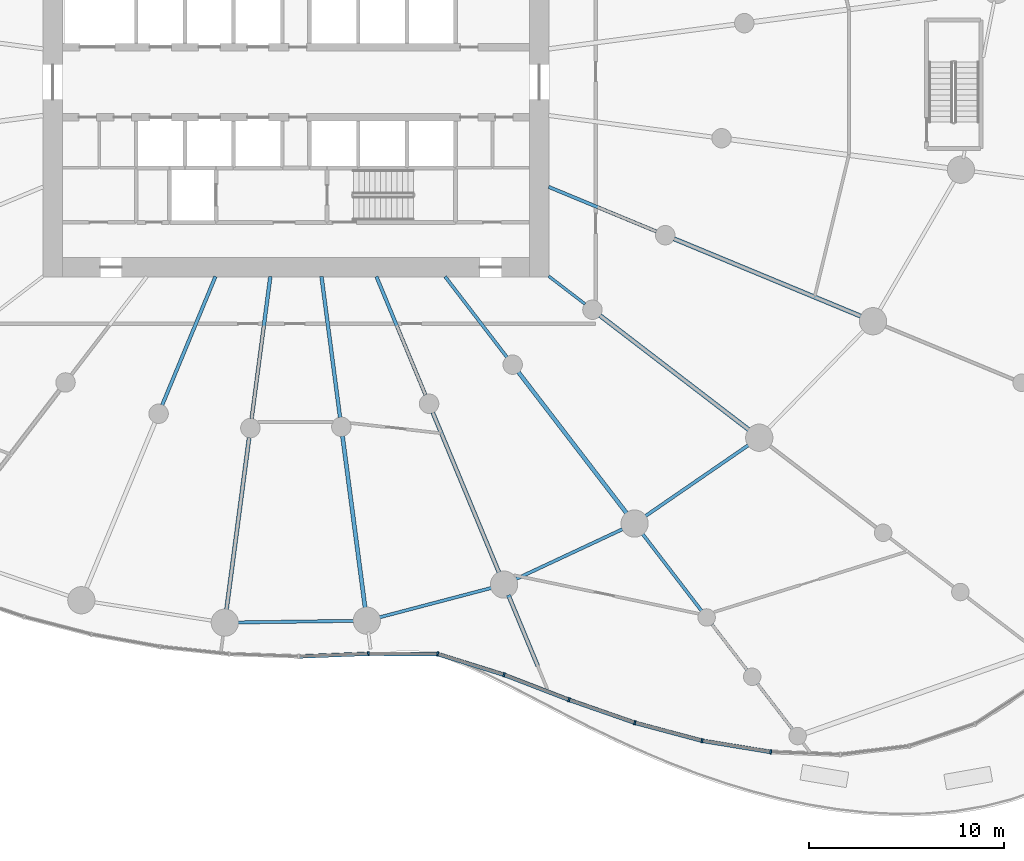
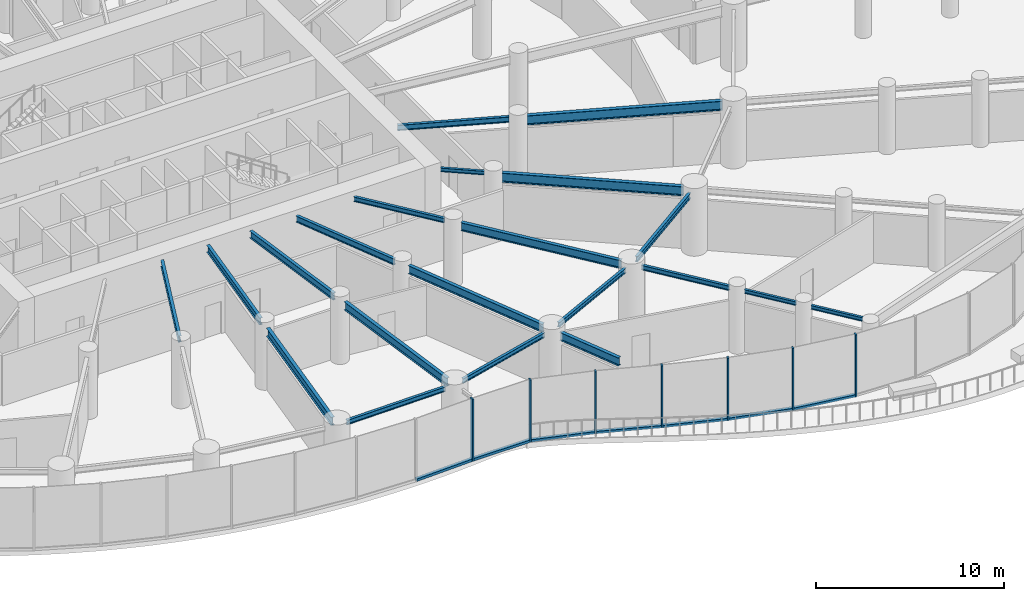
# One storey, part 3 of 24: 21 beams, 14 members, 2 elements without a shape of their own.
"""IFC4 building model written with IfcOpenShell, lengths in metres."""

from ifc_helpers import new_model, si_unit, direction, frame, origin, origin_2d, place, context, subcontext, project, spatial, rectangle, i_section, extrude, source, transform, mapped, material, layer, layer_set, material_profile, profile_set, type_object, element, aggregate, save


model = new_model("IFC4")

# Units and contexts
model_context = context("Model", 3, precision=1e-05, world=origin(), true_north=direction((0.0, 1.0)))
body_context = subcontext(model_context, "Body", "Model", "MODEL_VIEW")
ifc_project = project(units=[si_unit("LENGTHUNIT", "METRE"), si_unit("AREAUNIT", "SQUARE_METRE"), si_unit("VOLUMEUNIT", "CUBIC_METRE"), si_unit("PLANEANGLEUNIT", "RADIAN"), si_unit("MASSUNIT", "GRAM", prefix="KILO")], contexts=[model_context])

# Site, building, storey
site_placement = place(None, origin())
site = spatial("IfcSite", under=ifc_project, at=site_placement, CompositionType="ELEMENT")
building_placement = place(site_placement, origin())
building = spatial("IfcBuilding", under=site, at=building_placement, Name="Spindrift Exchange Tower", CompositionType="ELEMENT")
storey_placement = place(building_placement, frame((0.0, 0.0, 5.0)))
storey = spatial("IfcBuildingStorey", under=building, at=storey_placement, Name="L01", CompositionType="ELEMENT", Elevation=5.0)

# Beams
ifc_material_1 = material(Name="Steel Grade 300", Category="steel")
ifc_material_profile_1 = material_profile(ifc_material_1, i_section(OverallWidth=0.14599609375, OverallDepth=0.251953125, WebThickness=0.006103515625, FlangeThickness=0.008544921875, FilletRadius=0.011962890625, at=origin_2d()), Name="250UB31.4")
ifc_profile_set_1 = profile_set([ifc_material_profile_1], Name="Steel Grade 300")
beam_type_1 = type_object("IfcBeamType", Name="Floor Beam 250UB31.4 Steel Grade 300", PredefinedType="BEAM", material=ifc_profile_set_1)
shared_shape_1 = source(origin(), body_context, "Body", "SweptSolid", [
    extrude(i_section(OverallWidth=0.14599609375, OverallDepth=0.251953125, WebThickness=0.006103515625, FlangeThickness=0.008544921875, FilletRadius=0.011962890625, at=origin_2d()), origin(), (0.0, 0.0, 1.0), 2.978515625),
])
beam_1_placement = place(storey_placement, frame((75.697998046875, 17.1162109375, 3.924072265625), z_axis=(0.608763600102, -0.793351674348, 0.0), x_axis=(0.793351674348, 0.608763600102, 0.0)))
element("IfcBeam", 1, at=beam_1_placement, inside=storey, type_object=beam_type_1, Name="L01 radial beam R21C3", PredefinedType="BEAM", context=body_context, shape_type="MappedRepresentation", body=[
    mapped(shared_shape_1, transform((0.0, 0.0, 0.0), scale=1.0)),
])
ifc_material_profile_2 = material_profile(ifc_material_1, i_section(OverallWidth=0.177978515625, OverallDepth=0.406005859375, WebThickness=0.0078125, FlangeThickness=0.0126953125, FilletRadius=0.013916015625, at=origin_2d()), Name="410UB59.7")
ifc_profile_set_2 = profile_set([ifc_material_profile_2], Name="Steel Grade 300")
beam_type_2 = type_object("IfcBeamType", Name="Floor Beam 410UB59.7 Steel Grade 300", PredefinedType="BEAM", material=ifc_profile_set_2)
shared_shape_2 = source(origin(), body_context, "Body", "SweptSolid", [
    extrude(i_section(OverallWidth=0.177978515625, OverallDepth=0.406005859375, WebThickness=0.0078125, FlangeThickness=0.0126953125, FilletRadius=0.013916015625, at=origin_2d()), origin(), (0.0, 0.0, 1.0), 7.150634765625),
])
beam_2_placement = place(storey_placement, frame((47.865478515625, 38.0185546875, 3.846923828125), z_axis=(-0.382665393358, -0.923887004306, 0.0), x_axis=(0.923887004306, -0.382665393358, 0.0)))
element("IfcBeam", 2, at=beam_2_placement, inside=storey, type_object=beam_type_2, Name="L01 radial beam R17A", PredefinedType="BEAM", context=body_context, shape_type="MappedRepresentation", body=[
    mapped(shared_shape_2, transform((0.0, 0.0, 0.0), scale=1.0)),
])
ifc_material_profile_3 = material_profile(ifc_material_1, i_section(OverallWidth=0.18994140625, OverallDepth=0.45703125, WebThickness=0.009033203125, FlangeThickness=0.014404296875, FilletRadius=0.013916015625, at=origin_2d()), Name="460UB74.6")
ifc_profile_set_3 = profile_set([ifc_material_profile_3], Name="Steel Grade 300")
beam_type_3 = type_object("IfcBeamType", Name="Floor Beam 460UB74.6 Steel Grade 300", PredefinedType="BEAM", material=ifc_profile_set_3)
shared_shape_3 = source(origin(), body_context, "Body", "SweptSolid", [
    extrude(i_section(OverallWidth=0.18994140625, OverallDepth=0.45703125, WebThickness=0.009033203125, FlangeThickness=0.014404296875, FilletRadius=0.013916015625, at=origin_2d()), origin(), (0.0, 0.0, 1.0), 7.374267578125),
])
beam_3_placement = place(storey_placement, frame((50.68603515625, 38.019775390625, 3.821533203125), z_axis=(-0.130539295622, -0.99144313619, 0.0), x_axis=(0.99144313619, -0.130539295622, 0.0)))
element("IfcBeam", 3, at=beam_3_placement, inside=storey, type_object=beam_type_3, Name="L01 radial beam R18A", PredefinedType="BEAM", context=body_context, shape_type="MappedRepresentation", body=[
    mapped(shared_shape_3, transform((0.0, 0.0, 0.0), scale=1.0)),
])
ifc_material_profile_4 = material_profile(ifc_material_1, i_section(OverallWidth=0.208984375, OverallDepth=0.532958984375, WebThickness=0.01025390625, FlangeThickness=0.015625, FilletRadius=0.013916015625, at=origin_2d()), Name="530UB92.4")
ifc_profile_set_4 = profile_set([ifc_material_profile_4], Name="Steel Grade 300")
beam_type_4 = type_object("IfcBeamType", Name="Floor Beam 530UB92.4 Steel Grade 300", PredefinedType="BEAM", material=ifc_profile_set_4)
shared_shape_4 = source(origin(), body_context, "Body", "SweptSolid", [
    extrude(i_section(OverallWidth=0.208984375, OverallDepth=0.532958984375, WebThickness=0.01025390625, FlangeThickness=0.015625, FilletRadius=0.013916015625, at=origin_2d()), origin(), (0.0, 0.0, 1.0), 9.020263671875),
])
beam_4_placement = place(storey_placement, frame((49.59814453125, 29.7568359375, 3.783447265625), z_axis=(-0.13051122338, -0.991446831944, 0.0), x_axis=(0.991446831944, -0.13051122338, 0.0)))
element("IfcBeam", 4, at=beam_4_placement, inside=storey, type_object=beam_type_4, Name="L01 radial beam R18B", PredefinedType="BEAM", context=body_context, shape_type="MappedRepresentation", body=[
    mapped(shared_shape_4, transform((0.0, 0.0, 0.0), scale=1.0)),
])
shared_shape_5 = source(origin(), body_context, "Body", "SweptSolid", [
    extrude(i_section(OverallWidth=0.18994140625, OverallDepth=0.45703125, WebThickness=0.009033203125, FlangeThickness=0.014404296875, FilletRadius=0.013916015625, at=origin_2d()), origin(), (0.0, 0.0, 1.0), 7.3095703125),
])
beam_5_placement = place(storey_placement, frame((53.31396484375, 38.019775390625, 3.821533203125), z_axis=(0.130527087244, -0.991444743541, 0.0), x_axis=(0.991444743541, 0.130527087244, 0.0)))
element("IfcBeam", 5, at=beam_5_placement, inside=storey, type_object=beam_type_3, Name="L01 radial beam R19A", PredefinedType="BEAM", context=body_context, shape_type="MappedRepresentation", body=[
    mapped(shared_shape_5, transform((0.0, 0.0, 0.0), scale=1.0)),
])
shared_shape_6 = source(origin(), body_context, "Body", "SweptSolid", [
    extrude(i_section(OverallWidth=0.208984375, OverallDepth=0.532958984375, WebThickness=0.01025390625, FlangeThickness=0.015625, FilletRadius=0.013916015625, at=origin_2d()), origin(), (0.0, 0.0, 1.0), 8.98388671875),
])
beam_6_placement = place(storey_placement, frame((54.393310546875, 29.82080078125, 3.783447265625), z_axis=(0.130524106785, -0.991445135924, 0.0), x_axis=(0.991445135924, 0.130524106785, 0.0)))
element("IfcBeam", 6, at=beam_6_placement, inside=storey, type_object=beam_type_4, Name="L01 radial beam R19B", PredefinedType="BEAM", context=body_context, shape_type="MappedRepresentation", body=[
    mapped(shared_shape_6, transform((0.0, 0.0, 0.0), scale=1.0)),
])
shared_shape_7 = source(origin(), body_context, "Body", "SweptSolid", [
    extrude(i_section(OverallWidth=0.177978515625, OverallDepth=0.406005859375, WebThickness=0.0078125, FlangeThickness=0.0126953125, FilletRadius=0.013916015625, at=origin_2d()), origin(), (0.0, 0.0, 1.0), 6.594482421875),
])
beam_7_placement = place(storey_placement, frame((56.134521484375, 38.0185546875, 3.846923828125), z_axis=(0.382692929746, -0.92387559851, 0.0), x_axis=(0.92387559851, 0.382692929746, 0.0)))
element("IfcBeam", 7, at=beam_7_placement, inside=storey, type_object=beam_type_2, Name="L01 radial beam R20A", PredefinedType="BEAM", context=body_context, shape_type="MappedRepresentation", body=[
    mapped(shared_shape_7, transform((0.0, 0.0, 0.0), scale=1.0)),
])
shared_shape_8 = source(origin(), body_context, "Body", "SweptSolid", [
    extrude(i_section(OverallWidth=0.208984375, OverallDepth=0.532958984375, WebThickness=0.01025390625, FlangeThickness=0.015625, FilletRadius=0.013916015625, at=origin_2d()), origin(), (0.0, 0.0, 1.0), 8.99658203125),
])
beam_8_placement = place(storey_placement, frame((59.025390625, 31.0390625, 3.783447265625), z_axis=(0.382685731718, -0.923878580085, 0.0), x_axis=(0.923878580085, 0.382685731718, 0.0)))
element("IfcBeam", 8, at=beam_8_placement, inside=storey, type_object=beam_type_4, Name="L01 radial beam R20B", PredefinedType="BEAM", context=body_context, shape_type="MappedRepresentation", body=[
    mapped(shared_shape_8, transform((0.0, 0.0, 0.0), scale=1.0)),
])
ifc_material_profile_5 = material_profile(ifc_material_1, i_section(OverallWidth=0.1650390625, OverallDepth=0.303955078125, WebThickness=0.006103515625, FlangeThickness=0.01025390625, FilletRadius=0.011474609375, at=origin_2d()), Name="310UB40.4")
ifc_profile_set_5 = profile_set([ifc_material_profile_5], Name="Steel Grade 300")
beam_type_5 = type_object("IfcBeamType", Name="Floor Beam 310UB40.4 Steel Grade 300", PredefinedType="BEAM", material=ifc_profile_set_5)
shared_shape_9 = source(origin(), body_context, "Body", "SweptSolid", [
    extrude(i_section(OverallWidth=0.1650390625, OverallDepth=0.303955078125, WebThickness=0.006103515625, FlangeThickness=0.01025390625, FilletRadius=0.011474609375, at=origin_2d()), origin(), (0.0, 0.0, 1.0), 5.224609375),
])
beam_9_placement = place(storey_placement, frame((59.6611328125, 38.015869140625, 3.89794921875), z_axis=(0.608741499316, -0.793368632485, 0.0), x_axis=(0.793368632485, 0.608741499316, 0.0)))
element("IfcBeam", 9, at=beam_9_placement, inside=storey, type_object=beam_type_5, Name="L01 radial beam R21A", PredefinedType="BEAM", context=body_context, shape_type="MappedRepresentation", body=[
    mapped(shared_shape_9, transform((0.0, 0.0, 0.0), scale=1.0)),
])
shared_shape_10 = source(origin(), body_context, "Body", "SweptSolid", [
    extrude(i_section(OverallWidth=0.208984375, OverallDepth=0.532958984375, WebThickness=0.01025390625, FlangeThickness=0.015625, FilletRadius=0.013916015625, at=origin_2d()), origin(), (0.0, 0.0, 1.0), 9.227783203125),
])
beam_10_placement = place(storey_placement, frame((63.426025390625, 33.109375, 3.783447265625), z_axis=(0.608747534474, -0.79336400175, 0.0), x_axis=(0.79336400175, 0.608747534474, 0.0)))
element("IfcBeam", 10, at=beam_10_placement, inside=storey, type_object=beam_type_4, Name="L01 radial beam R21B", PredefinedType="BEAM", context=body_context, shape_type="MappedRepresentation", body=[
    mapped(shared_shape_10, transform((0.0, 0.0, 0.0), scale=1.0)),
])
shared_shape_11 = source(origin(), body_context, "Body", "SweptSolid", [
    extrude(i_section(OverallWidth=0.14599609375, OverallDepth=0.251953125, WebThickness=0.006103515625, FlangeThickness=0.008544921875, FilletRadius=0.011962890625, at=origin_2d()), origin(), (0.0, 0.0, 1.0), 2.353759765625),
])
beam_11_placement = place(storey_placement, frame((64.984130859375, 38.036865234375, 3.924072265625), z_axis=(0.793367573265, -0.608742879787, 0.0), x_axis=(0.608742879787, 0.793367573265, 0.0)))
element("IfcBeam", 11, at=beam_11_placement, inside=storey, type_object=beam_type_1, Name="L01 radial beam R22A", PredefinedType="BEAM", context=body_context, shape_type="MappedRepresentation", body=[
    mapped(shared_shape_11, transform((0.0, 0.0, 0.0), scale=1.0)),
])
ifc_material_profile_6 = material_profile(ifc_material_1, i_section(OverallWidth=0.22802734375, OverallDepth=0.60693359375, WebThickness=0.01123046875, FlangeThickness=0.017333984375, FilletRadius=0.013916015625, at=origin_2d()), Name="610UB113")
ifc_profile_set_6 = profile_set([ifc_material_profile_6], Name="Steel Grade 300")
beam_type_6 = type_object("IfcBeamType", Name="Floor Beam 610UB113 Steel Grade 300", PredefinedType="BEAM", material=ifc_profile_set_6)
shared_shape_12 = source(origin(), body_context, "Body", "SweptSolid", [
    extrude(i_section(OverallWidth=0.22802734375, OverallDepth=0.60693359375, WebThickness=0.01123046875, FlangeThickness=0.017333984375, FilletRadius=0.013916015625, at=origin_2d()), origin(), (0.0, 0.0, 1.0), 9.73974609375),
])
beam_12_placement = place(storey_placement, frame((67.61328125, 36.01953125, 3.74658203125), z_axis=(0.793352119621, -0.608763019814, 0.0), x_axis=(0.608763019814, 0.793352119621, 0.0)))
element("IfcBeam", 12, at=beam_12_placement, inside=storey, type_object=beam_type_6, Name="L01 radial beam R22B", PredefinedType="BEAM", context=body_context, shape_type="MappedRepresentation", body=[
    mapped(shared_shape_12, transform((0.0, 0.0, 0.0), scale=1.0)),
])
ifc_material_profile_7 = material_profile(ifc_material_1, i_section(OverallWidth=0.172119140625, OverallDepth=0.35888671875, WebThickness=0.008056640625, FlangeThickness=0.012939453125, FilletRadius=0.013916015625, at=origin_2d()), Name="360UB56.7")
ifc_profile_set_7 = profile_set([ifc_material_profile_7], Name="Steel Grade 300")
beam_type_7 = type_object("IfcBeamType", Name="Floor Beam 360UB56.7 Steel Grade 300", PredefinedType="BEAM", material=ifc_profile_set_7)
shared_shape_13 = source(origin(), body_context, "Body", "SweptSolid", [
    extrude(i_section(OverallWidth=0.172119140625, OverallDepth=0.35888671875, WebThickness=0.008056640625, FlangeThickness=0.012939453125, FilletRadius=0.013916015625, at=origin_2d()), origin(), (0.0, 0.0, 1.0), 6.004638671875),
])
beam_13_placement = place(storey_placement, frame((64.9814453125, 42.622802734375, 3.87060546875), z_axis=(0.923882044911, -0.38267736684, 0.0), x_axis=(0.38267736684, 0.923882044911, 0.0)))
element("IfcBeam", 13, at=beam_13_placement, inside=storey, type_object=beam_type_7, Name="L01 radial beam R23A", PredefinedType="BEAM", context=body_context, shape_type="MappedRepresentation", body=[
    mapped(shared_shape_13, transform((0.0, 0.0, 0.0), scale=1.0)),
])
shared_shape_14 = source(origin(), body_context, "Body", "SweptSolid", [
    extrude(i_section(OverallWidth=0.22802734375, OverallDepth=0.60693359375, WebThickness=0.01123046875, FlangeThickness=0.017333984375, FilletRadius=0.013916015625, at=origin_2d()), origin(), (0.0, 0.0, 1.0), 10.4912109375),
])
beam_14_placement = place(storey_placement, frame((71.416015625, 39.95751953125, 3.74658203125), z_axis=(0.923885231151, -0.382669674342, 0.0), x_axis=(0.382669674342, 0.923885231151, 0.0)))
element("IfcBeam", 14, at=beam_14_placement, inside=storey, type_object=beam_type_6, Name="L01 radial beam R23B", PredefinedType="BEAM", context=body_context, shape_type="MappedRepresentation", body=[
    mapped(shared_shape_14, transform((0.0, 0.0, 0.0), scale=1.0)),
])
shared_shape_15 = source(origin(), body_context, "Body", "SweptSolid", [
    extrude(i_section(OverallWidth=0.1650390625, OverallDepth=0.303955078125, WebThickness=0.006103515625, FlangeThickness=0.01025390625, FilletRadius=0.011474609375, at=origin_2d()), origin(), (0.0, 0.0, 1.0), 5.072509765625),
])
beam_15_placement = place(storey_placement, frame((69.749755859375, 24.8681640625, 3.89794921875), z_axis=(0.608742705523, -0.793367706976, 0.0), x_axis=(0.793367706976, 0.608742705523, 0.0)))
element("IfcBeam", 15, at=beam_15_placement, inside=storey, type_object=beam_type_5, Name="L01 radial beam R21C1", PredefinedType="BEAM", context=body_context, shape_type="MappedRepresentation", body=[
    mapped(shared_shape_15, transform((0.0, 0.0, 0.0), scale=1.0)),
])
shared_shape_16 = source(origin(), body_context, "Body", "SweptSolid", [
    extrude(i_section(OverallWidth=0.14599609375, OverallDepth=0.251953125, WebThickness=0.006103515625, FlangeThickness=0.008544921875, FilletRadius=0.011962890625, at=origin_2d()), origin(), (0.0, 0.0, 1.0), 2.978759765625),
])
beam_16_placement = place(storey_placement, frame((73.361328125, 20.16162109375, 3.924072265625), z_axis=(0.608724015184, -0.793382047527, 0.0), x_axis=(0.793382047527, 0.608724015184, 0.0)))
element("IfcBeam", 16, at=beam_16_placement, inside=storey, type_object=beam_type_1, Name="L01 radial beam R21C2", PredefinedType="BEAM", context=body_context, shape_type="MappedRepresentation", body=[
    mapped(shared_shape_16, transform((0.0, 0.0, 0.0), scale=1.0)),
])
ifc_material_profile_8 = material_profile(ifc_material_1, i_section(OverallWidth=0.1650390625, OverallDepth=0.303955078125, WebThickness=0.006103515625, FlangeThickness=0.01025390625, FilletRadius=0.011474609375, at=origin_2d()), Name="310UB40.4")
ifc_profile_set_8 = profile_set([ifc_material_profile_8], Name="Steel Grade 300")
beam_type_8 = type_object("IfcBeamType", Name="Edge Beam 310UB40.4 Steel Grade 300", PredefinedType="SPANDREL", material=ifc_profile_set_8)
shared_shape_17 = source(origin(), body_context, "Body", "SweptSolid", [
    extrude(i_section(OverallWidth=0.1650390625, OverallDepth=0.303955078125, WebThickness=0.006103515625, FlangeThickness=0.01025390625, FilletRadius=0.011474609375, at=origin_2d()), origin(), (0.0, 0.0, 1.0), 6.13720703125),
])
beam_17_placement = place(storey_placement, frame((48.925048828125, 20.24658203125, 3.89794921875), z_axis=(0.999905820907, 0.013724041543, 0.0), x_axis=(-0.013724041543, 0.999905820907, 0.0)))
element("IfcBeam", 17, at=beam_17_placement, inside=storey, type_object=beam_type_8, Name="L01 edge beam E18", PredefinedType="SPANDREL", context=body_context, shape_type="MappedRepresentation", body=[
    mapped(shared_shape_17, transform((0.0, 0.0, 0.0), scale=1.0)),
])
shared_shape_18 = source(origin(), body_context, "Body", "SweptSolid", [
    extrude(i_section(OverallWidth=0.1650390625, OverallDepth=0.303955078125, WebThickness=0.006103515625, FlangeThickness=0.01025390625, FilletRadius=0.011474609375, at=origin_2d()), origin(), (0.0, 0.0, 1.0), 6.128173828125),
])
beam_18_placement = place(storey_placement, frame((56.20263671875, 20.486083984375, 3.89794921875), z_axis=(0.967147261855, 0.254216785216, 0.0), x_axis=(-0.254216785216, 0.967147261855, 0.0)))
element("IfcBeam", 18, at=beam_18_placement, inside=storey, type_object=beam_type_8, Name="L01 edge beam E19", PredefinedType="SPANDREL", context=body_context, shape_type="MappedRepresentation", body=[
    mapped(shared_shape_18, transform((0.0, 0.0, 0.0), scale=1.0)),
])
shared_shape_19 = source(origin(), body_context, "Body", "SweptSolid", [
    extrude(i_section(OverallWidth=0.1650390625, OverallDepth=0.303955078125, WebThickness=0.006103515625, FlangeThickness=0.01025390625, FilletRadius=0.011474609375, at=origin_2d()), origin(), (0.0, 0.0, 1.0), 6.243408203125),
])
beam_19_placement = place(storey_placement, frame((63.2158203125, 22.43701171875, 3.89794921875), z_axis=(0.905791146607, 0.423724437257, 0.0), x_axis=(-0.423724437257, 0.905791146607, 0.0)))
element("IfcBeam", 19, at=beam_19_placement, inside=storey, type_object=beam_type_8, Name="L01 edge beam E20", PredefinedType="SPANDREL", context=body_context, shape_type="MappedRepresentation", body=[
    mapped(shared_shape_19, transform((0.0, 0.0, 0.0), scale=1.0)),
])
ifc_material_profile_9 = material_profile(ifc_material_1, i_section(OverallWidth=0.172119140625, OverallDepth=0.35888671875, WebThickness=0.008056640625, FlangeThickness=0.012939453125, FilletRadius=0.013916015625, at=origin_2d()), Name="360UB56.7")
ifc_profile_set_9 = profile_set([ifc_material_profile_9], Name="Steel Grade 300")
beam_type_9 = type_object("IfcBeamType", Name="Edge Beam 360UB56.7 Steel Grade 300", PredefinedType="SPANDREL", material=ifc_profile_set_9)
shared_shape_20 = source(origin(), body_context, "Body", "SweptSolid", [
    extrude(i_section(OverallWidth=0.172119140625, OverallDepth=0.35888671875, WebThickness=0.008056640625, FlangeThickness=0.012939453125, FilletRadius=0.013916015625, at=origin_2d()), origin(), (0.0, 0.0, 1.0), 6.614990234375),
])
beam_20_placement = place(storey_placement, frame((69.874267578125, 25.6572265625, 3.87060546875), z_axis=(0.823690708835, 0.567039342708, 0.0), x_axis=(-0.567039342708, 0.823690708835, 0.0)))
element("IfcBeam", 20, at=beam_20_placement, inside=storey, type_object=beam_type_9, Name="L01 edge beam E21", PredefinedType="SPANDREL", context=body_context, shape_type="MappedRepresentation", body=[
    mapped(shared_shape_20, transform((0.0, 0.0, 0.0), scale=1.0)),
])
ifc_material_profile_10 = material_profile(ifc_material_1, i_section(OverallWidth=0.208984375, OverallDepth=0.532958984375, WebThickness=0.01025390625, FlangeThickness=0.015625, FilletRadius=0.013916015625, at=origin_2d()), Name="530UB92.4")
ifc_profile_set_10 = profile_set([ifc_material_profile_10], Name="Steel Grade 300")
beam_type_10 = type_object("IfcBeamType", Name="Cantilever Beam 530UB92.4 Steel Grade 300", PredefinedType="BEAM", material=ifc_profile_set_10)
shared_shape_21 = source(origin(), body_context, "Body", "SweptSolid", [
    extrude(i_section(OverallWidth=0.208984375, OverallDepth=0.532958984375, WebThickness=0.01025390625, FlangeThickness=0.015625, FilletRadius=0.013916015625, at=origin_2d()), origin(), (0.0, 0.0, 1.0), 3.9501953125),
])
beam_21_placement = place(storey_placement, frame((62.912109375, 21.655517578125, 3.783447265625), z_axis=(0.382701140379, -0.923872197413, 0.0), x_axis=(0.923872197413, 0.382701140379, 0.0)))
element("IfcBeam", 21, at=beam_21_placement, inside=storey, type_object=beam_type_10, Name="L01 cantilever beam R20T", PredefinedType="BEAM", context=body_context, shape_type="MappedRepresentation", body=[
    mapped(shared_shape_21, transform((0.0, 0.0, 0.0), scale=1.0)),
])

# Curtain wall, members
ifc_material_2 = material(Name="Fritted laminated glass with bronze frame", Category="glass")
ifc_layer = layer(ifc_material_2, 0.219970703125)
ifc_layer_set = layer_set([ifc_layer], Name="PODIUM BRONZE GLAZED WALL")
curtain_wall_type = type_object("IfcCurtainWallType", Name="PODIUM BRONZE GLAZED WALL", PredefinedType="NOTDEFINED", material=ifc_layer_set)
curtain_wall_1_placement = place(storey_placement, origin())
curtain_wall_1 = element("IfcCurtainWall", 22, at=curtain_wall_1_placement, inside=storey, type_object=curtain_wall_type, Name="L01 Podium Bronze Glazed Wall run 9", PredefinedType="NOTDEFINED")
ifc_material_3 = material(Name="Bronze anodised aluminium", Category="aluminium")
ifc_material_profile_11 = material_profile(ifc_material_3, rectangle(XDim=0.090087890625, YDim=0.219970703125, at=origin_2d()), Name="PODIUM BRONZE GLAZED WALL MULLION 90X220")
ifc_profile_set_11 = profile_set([ifc_material_profile_11], Name="Bronze anodised aluminium")
member_type_1 = type_object("IfcMemberType", Name="PODIUM BRONZE GLAZED WALL MULLION 90X220", PredefinedType="MULLION", material=ifc_profile_set_11)
shared_shape_22 = source(origin(), body_context, "Body", "SweptSolid", [
    extrude(rectangle(XDim=0.090087890625, YDim=0.219970703125, at=origin_2d()), origin(), (0.0, 0.0, 1.0), 4.050048828125),
])
member_1_placement = place(storey_placement, frame((55.7216796875, 18.6396484375, 0.0), z_axis=(0.0, 0.0, 1.0), x_axis=(0.999841223396, 0.017819315328, 0.0)))
member_1 = element("IfcMember", 23, at=member_1_placement, type_object=member_type_1, Name="L01 mullion CW-P.53", PredefinedType="MULLION", context=body_context, shape_type="MappedRepresentation", body=[
    mapped(shared_shape_22, transform((0.0, 0.0, 0.0), scale=1.0)),
])
member_2_placement = place(storey_placement, frame((59.281005859375, 18.62841796875, 0.0), z_axis=(0.0, 0.0, 1.0), x_axis=(0.988271895586, -0.15270448715, 0.0)))
member_2 = element("IfcMember", 24, at=member_2_placement, type_object=member_type_1, Name="L01 mullion CW-P.54", PredefinedType="MULLION", context=body_context, shape_type="MappedRepresentation", body=[
    mapped(shared_shape_22, transform((0.0, 0.0, 0.0), scale=1.0)),
])

curtain_wall_2_placement = place(storey_placement, origin())
curtain_wall_2 = element("IfcCurtainWall", 25, at=curtain_wall_2_placement, inside=storey, type_object=curtain_wall_type, Name="L01 Podium Bronze Glazed Wall run 10", PredefinedType="NOTDEFINED")
member_3_placement = place(storey_placement, frame((62.69140625, 17.560546875, 0.0), z_axis=(0.0, 0.0, 1.0), x_axis=(0.944214589173, -0.329330851261, 0.0)))
member_3 = element("IfcMember", 26, at=member_3_placement, type_object=member_type_1, Name="L01 mullion CW-P.55", PredefinedType="MULLION", context=body_context, shape_type="MappedRepresentation", body=[
    mapped(shared_shape_22, transform((0.0, 0.0, 0.0), scale=1.0)),
])
member_4_placement = place(storey_placement, frame((66.029541015625, 16.2744140625, 0.0), z_axis=(0.0, 0.0, 1.0), x_axis=(0.938843760803, -0.344343422763, 0.0)))
member_4 = element("IfcMember", 27, at=member_4_placement, type_object=member_type_1, Name="L01 mullion CW-P.56", PredefinedType="MULLION", context=body_context, shape_type="MappedRepresentation", body=[
    mapped(shared_shape_22, transform((0.0, 0.0, 0.0), scale=1.0)),
])
member_5_placement = place(storey_placement, frame((69.407470703125, 15.097412109375, 0.0), z_axis=(0.0, 0.0, 1.0), x_axis=(0.955803926416, -0.294004854123, 0.0)))
member_5 = element("IfcMember", 28, at=member_5_placement, type_object=member_type_1, Name="L01 mullion CW-P.57", PredefinedType="MULLION", context=body_context, shape_type="MappedRepresentation", body=[
    mapped(shared_shape_22, transform((0.0, 0.0, 0.0), scale=1.0)),
])
member_6_placement = place(storey_placement, frame((72.862060546875, 14.172607421875, 0.0), z_axis=(0.0, 0.0, 1.0), x_axis=(0.977678577544, -0.210106161289, 0.0)))
member_6 = element("IfcMember", 29, at=member_6_placement, type_object=member_type_1, Name="L01 mullion CW-P.58", PredefinedType="MULLION", context=body_context, shape_type="MappedRepresentation", body=[
    mapped(shared_shape_22, transform((0.0, 0.0, 0.0), scale=1.0)),
])
member_7_placement = place(storey_placement, frame((76.390869140625, 13.596435546875, 0.0), z_axis=(0.0, 0.0, 1.0), x_axis=(0.995045951853, -0.099416063598, 0.0)))
member_7 = element("IfcMember", 30, at=member_7_placement, type_object=member_type_1, Name="L01 mullion CW-P.59", PredefinedType="MULLION", context=body_context, shape_type="MappedRepresentation", body=[
    mapped(shared_shape_22, transform((0.0, 0.0, 0.0), scale=1.0)),
])
ifc_material_profile_12 = material_profile(ifc_material_3, rectangle(XDim=0.199951171875, YDim=0.159912109375, at=origin_2d()), Name="PODIUM BRONZE GLAZED WALL TRANSOM 200X160")
ifc_profile_set_12 = profile_set([ifc_material_profile_12], Name="Bronze anodised aluminium")
member_type_2 = type_object("IfcMemberType", Name="PODIUM BRONZE GLAZED WALL TRANSOM 200X160", PredefinedType="USERDEFINED", material=ifc_profile_set_12)
shared_shape_23 = source(origin(), body_context, "Body", "SweptSolid", [
    extrude(rectangle(XDim=0.199951171875, YDim=0.159912109375, at=origin_2d()), origin(), (0.0, 0.0, 1.0), 3.486328125),
])
member_8_placement = place(storey_placement, frame((69.450927734375, 15.085693359375, 0.080078125), z_axis=(0.965997415558, -0.25855172236, 0.0), x_axis=(0.25855172236, 0.965997415558, 0.0)))
member_8 = element("IfcMember", 31, at=member_8_placement, type_object=member_type_2, Name="L01 transom CW-P.57", ObjectType="TRANSOM", PredefinedType="USERDEFINED", context=body_context, shape_type="MappedRepresentation", body=[
    mapped(shared_shape_23, transform((0.0, 0.0, 0.0), scale=1.0)),
])

# Member
shared_shape_24 = source(origin(), body_context, "Body", "SweptSolid", [
    extrude(rectangle(XDim=0.199951171875, YDim=0.159912109375, at=origin_2d()), origin(), (0.0, 0.0, 1.0), 3.48681640625),
])
member_9_placement = place(storey_placement, frame((52.1923828125, 18.50244140625, 0.080078125), z_axis=(0.999244638462, 0.038860680705, 0.0), x_axis=(-0.038860680705, 0.999244638462, 0.0)))
member_9 = element("IfcMember", 32, at=member_9_placement, type_object=member_type_2, Name="L01 transom CW-P.52", ObjectType="TRANSOM", PredefinedType="USERDEFINED", context=body_context, shape_type="MappedRepresentation", body=[
    mapped(shared_shape_24, transform((0.0, 0.0, 0.0), scale=1.0)),
])

shared_shape_25 = source(origin(), body_context, "Body", "SweptSolid", [
    extrude(rectangle(XDim=0.199951171875, YDim=0.159912109375, at=origin_2d()), origin(), (0.0, 0.0, 1.0), 3.4853515625),
])
member_10_placement = place(storey_placement, frame((72.906494140625, 14.165283203125, 0.080078125), z_axis=(0.98693742693, -0.161104051238, 0.0), x_axis=(0.161104051238, 0.98693742693, 0.0)))
member_10 = element("IfcMember", 33, at=member_10_placement, type_object=member_type_2, Name="L01 transom CW-P.58", ObjectType="TRANSOM", PredefinedType="USERDEFINED", context=body_context, shape_type="MappedRepresentation", body=[
    mapped(shared_shape_25, transform((0.0, 0.0, 0.0), scale=1.0)),
])

shared_shape_26 = source(origin(), body_context, "Body", "SweptSolid", [
    extrude(rectangle(XDim=0.199951171875, YDim=0.159912109375, at=origin_2d()), origin(), (0.0, 0.0, 1.0), 3.487060546875),
])
member_11_placement = place(storey_placement, frame((66.072021484375, 16.259521484375, 0.080078125), z_axis=(0.944311524297, -0.329052799837, 0.0), x_axis=(0.329052799837, 0.944311524297, 0.0)))
member_11 = element("IfcMember", 34, at=member_11_placement, type_object=member_type_2, Name="L01 transom CW-P.56", ObjectType="TRANSOM", PredefinedType="USERDEFINED", context=body_context, shape_type="MappedRepresentation", body=[
    mapped(shared_shape_26, transform((0.0, 0.0, 0.0), scale=1.0)),
])

shared_shape_27 = source(origin(), body_context, "Body", "SweptSolid", [
    extrude(rectangle(XDim=0.199951171875, YDim=0.159912109375, at=origin_2d()), origin(), (0.0, 0.0, 1.0), 3.4873046875),
])
member_12_placement = place(storey_placement, frame((62.7333984375, 17.54443359375, 0.080078125), z_axis=(0.933123498387, -0.359556027287, 0.0), x_axis=(0.359556027287, 0.933123498387, 0.0)))
member_12 = element("IfcMember", 35, at=member_12_placement, type_object=member_type_2, Name="L01 transom CW-P.55", ObjectType="TRANSOM", PredefinedType="USERDEFINED", context=body_context, shape_type="MappedRepresentation", body=[
    mapped(shared_shape_27, transform((0.0, 0.0, 0.0), scale=1.0)),
])

aggregate(curtain_wall_2, [member_3, member_12, member_4, member_11, member_5, member_8, member_6, member_10, member_7])

shared_shape_28 = source(origin(), body_context, "Body", "SweptSolid", [
    extrude(rectangle(XDim=0.199951171875, YDim=0.159912109375, at=origin_2d()), origin(), (0.0, 0.0, 1.0), 3.48388671875),
])
member_13_placement = place(storey_placement, frame((59.32373046875, 18.61474609375, 0.080078125), z_axis=(0.954332721416, -0.298745806388, 0.0), x_axis=(0.298745806388, 0.954332721416, 0.0)))
member_13 = element("IfcMember", 36, at=member_13_placement, type_object=member_type_2, Name="L01 transom CW-P.54", ObjectType="TRANSOM", PredefinedType="USERDEFINED", context=body_context, shape_type="MappedRepresentation", body=[
    mapped(shared_shape_28, transform((0.0, 0.0, 0.0), scale=1.0)),
])

shared_shape_29 = source(origin(), body_context, "Body", "SweptSolid", [
    extrude(rectangle(XDim=0.199951171875, YDim=0.159912109375, at=origin_2d()), origin(), (0.0, 0.0, 1.0), 3.46923828125),
])
member_14_placement = place(storey_placement, frame((55.7666015625, 18.6396484375, 0.080078125), z_axis=(0.999994760449, -0.00323713997, 0.0), x_axis=(0.00323713997, 0.999994760449, 0.0)))
member_14 = element("IfcMember", 37, at=member_14_placement, type_object=member_type_2, Name="L01 transom CW-P.53", ObjectType="TRANSOM", PredefinedType="USERDEFINED", context=body_context, shape_type="MappedRepresentation", body=[
    mapped(shared_shape_29, transform((0.0, 0.0, 0.0), scale=1.0)),
])

aggregate(curtain_wall_1, [member_9, member_1, member_14, member_2, member_13])

save(model, "model.ifc")
